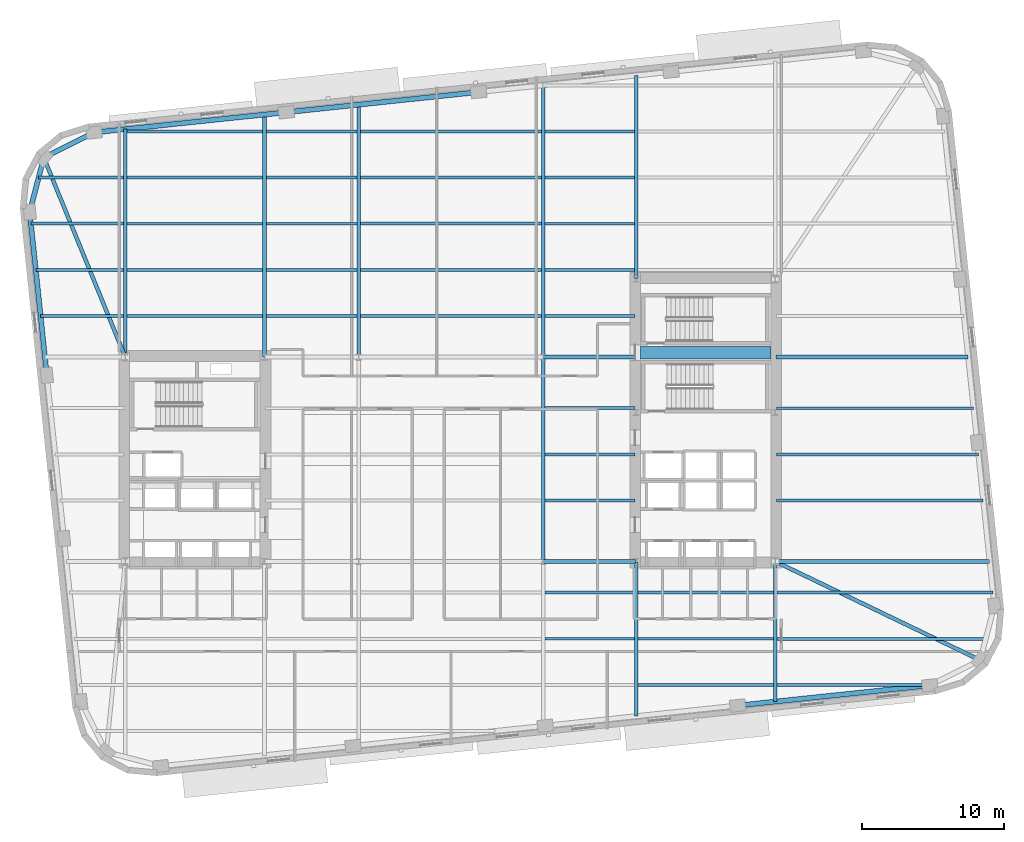
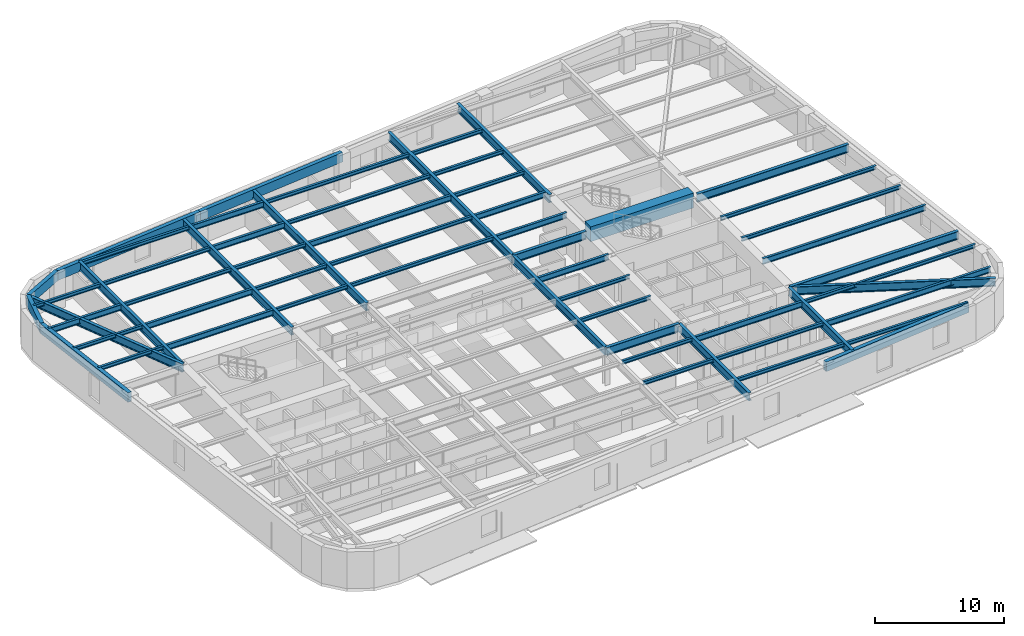
# One storey, part 2 of 13: 59 beams.
"""IFC4 building model written with IfcOpenShell, lengths in metres."""

from ifc_helpers import new_model, si_unit, direction, frame, origin, origin_2d, place, context, subcontext, project, spatial, rectangle, hollow_rectangle, i_section, extrude, material, material_profile, profile_set, type_object, element, save


model = new_model("IFC4")

# Units and contexts
model_context = context("Model", 3, precision=1e-05, world=origin(), true_north=direction((0.0, 1.0)))
body_context = subcontext(model_context, "Body", "Model", "MODEL_VIEW")
ifc_project = project(units=[si_unit("LENGTHUNIT", "METRE"), si_unit("AREAUNIT", "SQUARE_METRE"), si_unit("VOLUMEUNIT", "CUBIC_METRE"), si_unit("PLANEANGLEUNIT", "RADIAN"), si_unit("MASSUNIT", "GRAM", prefix="KILO")], contexts=[model_context])

# Site, building, storey
site_placement = place(None, origin())
site = spatial("IfcSite", under=ifc_project, at=site_placement, CompositionType="ELEMENT")
building_placement = place(site_placement, origin())
building = spatial("IfcBuilding", under=site, at=building_placement, Name="Kolvaren Arena Tower", CompositionType="ELEMENT")
storey_placement = place(building_placement, frame((0.0, 0.0, 114.699951171875)))
storey = spatial("IfcBuildingStorey", under=building, at=storey_placement, Name="L26", CompositionType="ELEMENT", Elevation=114.699951171875)

# Beams
ifc_material_1 = material(Name="Steel CSA G40.21 350W", Category="steel")
ifc_material_profile_1 = material_profile(ifc_material_1, i_section(OverallWidth=0.2119140625, OverallDepth=0.54296875, WebThickness=0.01318359375, FlangeThickness=0.0244140625, FilletRadius=0.013916015625, at=origin_2d()), Name="W530x150")
ifc_profile_set_1 = profile_set([ifc_material_profile_1], Name="Steel CSA G40.21 350W")
beam_type_1 = type_object("IfcBeamType", Name="BEAM-F1", PredefinedType="BEAM", material=ifc_profile_set_1)
beam_1_placement = place(storey_placement, frame((60.485107421875, 14.0, 3.20849609375), z_axis=(1.0, 0.0, 0.0), x_axis=(0.0, 1.0, 0.0)))
element("IfcBeam", 1, at=beam_1_placement, inside=storey, type_object=beam_type_1, Name="Composite Floor Beam (L26)", PredefinedType="BEAM", context=body_context, shape_type="SweptSolid", body=[
    extrude(i_section(OverallWidth=0.2119140625, OverallDepth=0.54296875, WebThickness=0.01318359375, FlangeThickness=0.0244140625, FilletRadius=0.013916015625, at=origin_2d()), origin(), (0.0, 0.0, 1.0), 14.69677734375),
])
beam_2_placement = place(storey_placement, frame((50.68505859375, 17.25, 3.20849609375), z_axis=(1.0, 0.0, 0.0), x_axis=(0.0, 1.0, 0.0)))
element("IfcBeam", 2, at=beam_2_placement, inside=storey, type_object=beam_type_1, Name="Composite Floor Beam (L26)", PredefinedType="BEAM", context=body_context, shape_type="SweptSolid", body=[
    extrude(i_section(OverallWidth=0.2119140625, OverallDepth=0.54296875, WebThickness=0.01318359375, FlangeThickness=0.0244140625, FilletRadius=0.013916015625, at=origin_2d()), origin(), (0.0, 0.0, 1.0), 9.530029296875),
])
beam_3_placement = place(storey_placement, frame((60.445068359375, 23.75, 3.20849609375), z_axis=(1.0, 0.0, 0.0), x_axis=(0.0, 1.0, 0.0)))
element("IfcBeam", 3, at=beam_3_placement, inside=storey, type_object=beam_type_1, Name="Composite Floor Beam (L26)", PredefinedType="BEAM", context=body_context, shape_type="SweptSolid", body=[
    extrude(i_section(OverallWidth=0.2119140625, OverallDepth=0.54296875, WebThickness=0.01318359375, FlangeThickness=0.0244140625, FilletRadius=0.013916015625, at=origin_2d()), origin(), (0.0, 0.0, 1.0), 14.56103515625),
])
beam_4_placement = place(storey_placement, frame((44.135009765625, 30.25, 3.20849609375), z_axis=(1.0, 0.0, 0.0), x_axis=(0.0, 1.0, 0.0)))
element("IfcBeam", 4, at=beam_4_placement, inside=storey, type_object=beam_type_1, Name="Composite Floor Beam (L26)", PredefinedType="BEAM", context=body_context, shape_type="SweptSolid", body=[
    extrude(i_section(OverallWidth=0.2119140625, OverallDepth=0.54296875, WebThickness=0.01318359375, FlangeThickness=0.0244140625, FilletRadius=0.013916015625, at=origin_2d()), origin(), (0.0, 0.0, 1.0), 6.320068359375),
])
beam_5_placement = place(storey_placement, frame((14.68505859375, 36.75, 3.20849609375), z_axis=(1.0, 0.0, 0.0), x_axis=(0.0, 1.0, 0.0)))
element("IfcBeam", 5, at=beam_5_placement, inside=storey, type_object=beam_type_1, Name="Composite Floor Beam (L26)", PredefinedType="BEAM", context=body_context, shape_type="SweptSolid", body=[
    extrude(i_section(OverallWidth=0.2119140625, OverallDepth=0.54296875, WebThickness=0.01318359375, FlangeThickness=0.0244140625, FilletRadius=0.013916015625, at=origin_2d()), origin(), (0.0, 0.0, 1.0), 9.530029296875),
])
beam_6_placement = place(storey_placement, frame((44.135009765625, 36.75, 3.20849609375), z_axis=(1.0, 0.0, 0.0), x_axis=(0.0, 1.0, 0.0)))
element("IfcBeam", 6, at=beam_6_placement, inside=storey, type_object=beam_type_1, Name="Composite Floor Beam (L26)", PredefinedType="BEAM", context=body_context, shape_type="SweptSolid", body=[
    extrude(i_section(OverallWidth=0.2119140625, OverallDepth=0.54296875, WebThickness=0.01318359375, FlangeThickness=0.0244140625, FilletRadius=0.013916015625, at=origin_2d()), origin(), (0.0, 0.0, 1.0), 6.320068359375),
])
beam_7_placement = place(storey_placement, frame((14.68505859375, 40.0, 3.20849609375), z_axis=(1.0, 0.0, 0.0), x_axis=(0.0, 1.0, 0.0)))
element("IfcBeam", 7, at=beam_7_placement, inside=storey, type_object=beam_type_1, Name="Composite Floor Beam (L26)", PredefinedType="BEAM", context=body_context, shape_type="SweptSolid", body=[
    extrude(i_section(OverallWidth=0.2119140625, OverallDepth=0.54296875, WebThickness=0.01318359375, FlangeThickness=0.0244140625, FilletRadius=0.013916015625, at=origin_2d()), origin(), (0.0, 0.0, 1.0), 9.530029296875),
])
beam_8_placement = place(storey_placement, frame((44.135009765625, 40.0, 3.20849609375), z_axis=(1.0, 0.0, 0.0), x_axis=(0.0, 1.0, 0.0)))
element("IfcBeam", 8, at=beam_8_placement, inside=storey, type_object=beam_type_1, Name="Composite Floor Beam (L26)", PredefinedType="BEAM", context=body_context, shape_type="SweptSolid", body=[
    extrude(i_section(OverallWidth=0.2119140625, OverallDepth=0.54296875, WebThickness=0.01318359375, FlangeThickness=0.0244140625, FilletRadius=0.013916015625, at=origin_2d()), origin(), (0.0, 0.0, 1.0), 6.280029296875),
])
beam_9_placement = place(storey_placement, frame((7.900146484375, 43.25, 3.20849609375), z_axis=(1.0, 0.0, 0.0), x_axis=(0.0, 1.0, 0.0)))
element("IfcBeam", 9, at=beam_9_placement, inside=storey, type_object=beam_type_1, Name="Composite Floor Beam (L26)", PredefinedType="BEAM", context=body_context, shape_type="SweptSolid", body=[
    extrude(i_section(OverallWidth=0.2119140625, OverallDepth=0.54296875, WebThickness=0.01318359375, FlangeThickness=0.0244140625, FilletRadius=0.013916015625, at=origin_2d()), origin(), (0.0, 0.0, 1.0), 6.514892578125),
])
beam_10_placement = place(storey_placement, frame((31.135009765625, 43.25, 3.20849609375), z_axis=(1.0, 0.0, 0.0), x_axis=(0.0, 1.0, 0.0)))
element("IfcBeam", 10, at=beam_10_placement, inside=storey, type_object=beam_type_1, Name="Composite Floor Beam (L26)", PredefinedType="BEAM", context=body_context, shape_type="SweptSolid", body=[
    extrude(i_section(OverallWidth=0.2119140625, OverallDepth=0.54296875, WebThickness=0.01318359375, FlangeThickness=0.0244140625, FilletRadius=0.013916015625, at=origin_2d()), origin(), (0.0, 0.0, 1.0), 12.72998046875),
])
for number, where, z_axis, x_axis, name in (
    (11, (24.485107421875, 46.5, 3.20849609375), (1.0, 0.0, 0.0), (0.0, 1.0, 0.0), "Composite Floor Beam (L26)"),
    (12, (24.485107421875, 49.75, 3.20849609375), (1.0, 0.0, 0.0), (0.0, 1.0, 0.0), "Composite Floor Beam (L26)"),
):
    element("IfcBeam", number, at=place(storey_placement, frame(where, z_axis=z_axis, x_axis=x_axis)), inside=storey, type_object=beam_type_1, Name=name, PredefinedType="BEAM", context=body_context, shape_type="SweptSolid", body=[
        extrude(i_section(OverallWidth=0.2119140625, OverallDepth=0.54296875, WebThickness=0.01318359375, FlangeThickness=0.0244140625, FilletRadius=0.013916015625, at=origin_2d()), origin(), (0.0, 0.0, 1.0), 6.3798828125),
    ])
ifc_material_2 = material(Name="Concrete 75 MPa", Category="concrete")
ifc_material_profile_2 = material_profile(ifc_material_2, rectangle(XDim=0.89990234375, YDim=1.39990234375, at=origin_2d()), Name="RC-900x1400")
ifc_profile_set_2 = profile_set([ifc_material_profile_2], Name="Concrete 75 MPa")
beam_type_2 = type_object("IfcBeamType", Name="CB-CORE-1", PredefinedType="BEAM", material=ifc_profile_set_2)
beam_11_placement = place(storey_placement, frame((50.85009765625, 34.14990234375, 3.050048828125), z_axis=(1.0, 0.0, 0.0), x_axis=(0.0, 1.0, 0.0)))
element("IfcBeam", 13, at=beam_11_placement, inside=storey, type_object=beam_type_2, Name="East Core Coupling Beam (L26)", PredefinedType="BEAM", context=body_context, shape_type="SweptSolid", body=[
    extrude(rectangle(XDim=0.89990234375, YDim=1.39990234375, at=origin_2d()), origin(), (0.0, 0.0, 1.0), 9.199951171875),
])
ifc_material_profile_3 = material_profile(ifc_material_1, i_section(OverallWidth=0.27001953125, OverallDepth=0.77294921875, WebThickness=0.019287109375, FlangeThickness=0.033447265625, FilletRadius=0.01806640625, at=origin_2d()), Name="W760x257")
ifc_profile_set_3 = profile_set([ifc_material_profile_3], Name="Steel CSA G40.21 350W")
beam_type_3 = type_object("IfcBeamType", Name="GIRD-T1", PredefinedType="BEAM", material=ifc_profile_set_3)
beam_12_placement = place(storey_placement, frame((74.790283203125, 12.49267578125, 3.093505859375), z_axis=(-0.900889626424, 0.43404824732, 0.0), x_axis=(-0.43404824732, -0.900889626424, 0.0)))
element("IfcBeam", 14, at=beam_12_placement, inside=storey, type_object=beam_type_3, Name="Corner Diagonal Tie Girder (L26)", PredefinedType="BEAM", context=body_context, shape_type="SweptSolid", body=[
    extrude(i_section(OverallWidth=0.27001953125, OverallDepth=0.77294921875, WebThickness=0.019287109375, FlangeThickness=0.033447265625, FilletRadius=0.01806640625, at=origin_2d()), origin(), (0.0, 0.0, 1.0), 16.02880859375),
])
beam_13_placement = place(storey_placement, frame((8.8095703125, 47.9072265625, 3.093505859375), z_axis=(0.378059288681, -0.925781385772, 0.0), x_axis=(0.925781385772, 0.378059288681, 0.0)))
element("IfcBeam", 15, at=beam_13_placement, inside=storey, type_object=beam_type_3, Name="Corner Diagonal Tie Girder (L26)", PredefinedType="BEAM", context=body_context, shape_type="SweptSolid", body=[
    extrude(i_section(OverallWidth=0.27001953125, OverallDepth=0.77294921875, WebThickness=0.019287109375, FlangeThickness=0.033447265625, FilletRadius=0.01806640625, at=origin_2d()), origin(), (0.0, 0.0, 1.0), 15.18408203125),
])
beam_14_placement = place(storey_placement, frame((44.0, 19.449951171875, 3.093505859375), z_axis=(1.0, 0.0, 0.0), x_axis=(0.0, 1.0, 0.0)))
element("IfcBeam", 16, at=beam_14_placement, inside=storey, type_object=beam_type_3, Name="Primary Floor Girder (L26)", PredefinedType="BEAM", context=body_context, shape_type="SweptSolid", body=[
    extrude(i_section(OverallWidth=0.27001953125, OverallDepth=0.77294921875, WebThickness=0.019287109375, FlangeThickness=0.033447265625, FilletRadius=0.01806640625, at=origin_2d()), origin(), (0.0, 0.0, 1.0), 6.4951171875),
])
beam_15_placement = place(storey_placement, frame((60.405029296875, 19.449951171875, 3.093505859375), z_axis=(1.0, 0.0, 0.0), x_axis=(0.0, 1.0, 0.0)))
element("IfcBeam", 17, at=beam_15_placement, inside=storey, type_object=beam_type_3, Name="Primary Floor Girder (L26)", PredefinedType="BEAM", context=body_context, shape_type="SweptSolid", body=[
    extrude(i_section(OverallWidth=0.27001953125, OverallDepth=0.77294921875, WebThickness=0.019287109375, FlangeThickness=0.033447265625, FilletRadius=0.01806640625, at=origin_2d()), origin(), (0.0, 0.0, 1.0), 15.052978515625),
])
beam_16_placement = place(storey_placement, frame((44.0, 33.85009765625, 3.093505859375), z_axis=(1.0, 0.0, 0.0), x_axis=(0.0, 1.0, 0.0)))
element("IfcBeam", 18, at=beam_16_placement, inside=storey, type_object=beam_type_3, Name="Primary Floor Girder (L26)", PredefinedType="BEAM", context=body_context, shape_type="SweptSolid", body=[
    extrude(i_section(OverallWidth=0.27001953125, OverallDepth=0.77294921875, WebThickness=0.019287109375, FlangeThickness=0.033447265625, FilletRadius=0.01806640625, at=origin_2d()), origin(), (0.0, 0.0, 1.0), 6.4951171875),
])
beam_17_placement = place(storey_placement, frame((60.405029296875, 33.85009765625, 3.093505859375), z_axis=(1.0, 0.0, 0.0), x_axis=(0.0, 1.0, 0.0)))
element("IfcBeam", 19, at=beam_17_placement, inside=storey, type_object=beam_type_3, Name="Primary Floor Girder (L26)", PredefinedType="BEAM", context=body_context, shape_type="SweptSolid", body=[
    extrude(i_section(OverallWidth=0.27001953125, OverallDepth=0.77294921875, WebThickness=0.019287109375, FlangeThickness=0.033447265625, FilletRadius=0.01806640625, at=origin_2d()), origin(), (0.0, 0.0, 1.0), 13.53955078125),
])
beam_18_placement = place(storey_placement, frame((14.550048828125, 33.905029296875, 3.093505859375), z_axis=(0.0, 1.0, 0.0), x_axis=(-1.0, 0.0, 0.0)))
element("IfcBeam", 20, at=beam_18_placement, inside=storey, type_object=beam_type_3, Name="Primary Floor Girder (L26)", PredefinedType="BEAM", context=body_context, shape_type="SweptSolid", body=[
    extrude(i_section(OverallWidth=0.27001953125, OverallDepth=0.77294921875, WebThickness=0.019287109375, FlangeThickness=0.033447265625, FilletRadius=0.01806640625, at=origin_2d()), origin(), (0.0, 0.0, 1.0), 16.004638671875),
])
beam_19_placement = place(storey_placement, frame((24.35009765625, 33.905029296875, 3.093505859375), z_axis=(0.0, 1.0, 0.0), x_axis=(-1.0, 0.0, 0.0)))
element("IfcBeam", 21, at=beam_19_placement, inside=storey, type_object=beam_type_3, Name="Primary Floor Girder (L26)", PredefinedType="BEAM", context=body_context, shape_type="SweptSolid", body=[
    extrude(i_section(OverallWidth=0.27001953125, OverallDepth=0.77294921875, WebThickness=0.019287109375, FlangeThickness=0.033447265625, FilletRadius=0.01806640625, at=origin_2d()), origin(), (0.0, 0.0, 1.0), 17.03466796875),
])
beam_20_placement = place(storey_placement, frame((31.0, 33.85009765625, 3.093505859375), z_axis=(0.0, 1.0, 0.0), x_axis=(-1.0, 0.0, 0.0)))
element("IfcBeam", 22, at=beam_20_placement, inside=storey, type_object=beam_type_3, Name="Primary Floor Girder (L26)", PredefinedType="BEAM", context=body_context, shape_type="SweptSolid", body=[
    extrude(i_section(OverallWidth=0.27001953125, OverallDepth=0.77294921875, WebThickness=0.019287109375, FlangeThickness=0.033447265625, FilletRadius=0.01806640625, at=origin_2d()), origin(), (0.0, 0.0, 1.0), 17.788330078125),
])
beam_21_placement = place(storey_placement, frame((44.0, 19.449951171875, 3.093505859375), z_axis=(0.0, 1.0, 0.0), x_axis=(-1.0, 0.0, 0.0)))
element("IfcBeam", 23, at=beam_21_placement, inside=storey, type_object=beam_type_3, Name="Primary Floor Girder (L26)", PredefinedType="BEAM", context=body_context, shape_type="SweptSolid", body=[
    extrude(i_section(OverallWidth=0.27001953125, OverallDepth=0.77294921875, WebThickness=0.019287109375, FlangeThickness=0.033447265625, FilletRadius=0.01806640625, at=origin_2d()), origin(), (0.0, 0.0, 1.0), 14.400146484375),
])
beam_22_placement = place(storey_placement, frame((44.0, 33.85009765625, 3.093505859375), z_axis=(0.0, 1.0, 0.0), x_axis=(-1.0, 0.0, 0.0)))
element("IfcBeam", 24, at=beam_22_placement, inside=storey, type_object=beam_type_3, Name="Primary Floor Girder (L26)", PredefinedType="BEAM", context=body_context, shape_type="SweptSolid", body=[
    extrude(i_section(OverallWidth=0.27001953125, OverallDepth=0.77294921875, WebThickness=0.019287109375, FlangeThickness=0.033447265625, FilletRadius=0.01806640625, at=origin_2d()), origin(), (0.0, 0.0, 1.0), 19.15478515625),
])
beam_23_placement = place(storey_placement, frame((50.550048828125, 8.5458984375, 3.093505859375), z_axis=(0.0, 1.0, 0.0), x_axis=(-1.0, 0.0, 0.0)))
element("IfcBeam", 25, at=beam_23_placement, inside=storey, type_object=beam_type_3, Name="Primary Floor Girder (L26)", PredefinedType="BEAM", context=body_context, shape_type="SweptSolid", body=[
    extrude(i_section(OverallWidth=0.27001953125, OverallDepth=0.77294921875, WebThickness=0.019287109375, FlangeThickness=0.033447265625, FilletRadius=0.01806640625, at=origin_2d()), origin(), (0.0, 0.0, 1.0), 10.84912109375),
])
beam_24_placement = place(storey_placement, frame((50.550048828125, 39.405029296875, 3.093505859375), z_axis=(0.0, 1.0, 0.0), x_axis=(-1.0, 0.0, 0.0)))
element("IfcBeam", 26, at=beam_24_placement, inside=storey, type_object=beam_type_3, Name="Primary Floor Girder (L26)", PredefinedType="BEAM", context=body_context, shape_type="SweptSolid", body=[
    extrude(i_section(OverallWidth=0.27001953125, OverallDepth=0.77294921875, WebThickness=0.019287109375, FlangeThickness=0.033447265625, FilletRadius=0.01806640625, at=origin_2d()), origin(), (0.0, 0.0, 1.0), 14.288330078125),
])
beam_25_placement = place(storey_placement, frame((60.35009765625, 9.575927734375, 3.093505859375), z_axis=(0.0, 1.0, 0.0), x_axis=(-1.0, 0.0, 0.0)))
element("IfcBeam", 27, at=beam_25_placement, inside=storey, type_object=beam_type_3, Name="Primary Floor Girder (L26)", PredefinedType="BEAM", context=body_context, shape_type="SweptSolid", body=[
    extrude(i_section(OverallWidth=0.27001953125, OverallDepth=0.77294921875, WebThickness=0.019287109375, FlangeThickness=0.033447265625, FilletRadius=0.01806640625, at=origin_2d()), origin(), (0.0, 0.0, 1.0), 9.819091796875),
])
ifc_material_profile_4 = material_profile(ifc_material_1, i_section(OverallWidth=0.202880859375, OverallDepth=0.346923828125, WebThickness=0.0078125, FlangeThickness=0.013427734375, FilletRadius=0.010986328125, at=origin_2d()), Name="W360x64")
ifc_profile_set_4 = profile_set([ifc_material_profile_4], Name="Steel CSA G40.21 350W")
beam_type_4 = type_object("IfcBeamType", Name="JOIST-01", PredefinedType="JOIST", material=ifc_profile_set_4)
beam_26_placement = place(storey_placement, frame((50.68505859375, 10.75, 3.306640625), z_axis=(1.0, 0.0, 0.0), x_axis=(0.0, 1.0, 0.0)))
element("IfcBeam", 28, at=beam_26_placement, inside=storey, type_object=beam_type_4, Name="Composite Floor Joist (L26)", PredefinedType="JOIST", context=body_context, shape_type="SweptSolid", body=[
    extrude(i_section(OverallWidth=0.202880859375, OverallDepth=0.346923828125, WebThickness=0.0078125, FlangeThickness=0.013427734375, FilletRadius=0.010986328125, at=origin_2d()), origin(), (0.0, 0.0, 1.0), 9.530029296875),
])
beam_27_placement = place(storey_placement, frame((60.485107421875, 10.75, 3.306640625), z_axis=(1.0, 0.0, 0.0), x_axis=(0.0, 1.0, 0.0)))
element("IfcBeam", 29, at=beam_27_placement, inside=storey, type_object=beam_type_4, Name="Composite Floor Joist (L26)", PredefinedType="JOIST", context=body_context, shape_type="SweptSolid", body=[
    extrude(i_section(OverallWidth=0.202880859375, OverallDepth=0.346923828125, WebThickness=0.0078125, FlangeThickness=0.013427734375, FilletRadius=0.010986328125, at=origin_2d()), origin(), (0.0, 0.0, 1.0), 10.819580078125),
])
beam_28_placement = place(storey_placement, frame((44.135009765625, 14.0, 3.306640625), z_axis=(1.0, 0.0, 0.0), x_axis=(0.0, 1.0, 0.0)))
element("IfcBeam", 30, at=beam_28_placement, inside=storey, type_object=beam_type_4, Name="Composite Floor Joist (L26)", PredefinedType="JOIST", context=body_context, shape_type="SweptSolid", body=[
    extrude(i_section(OverallWidth=0.202880859375, OverallDepth=0.346923828125, WebThickness=0.0078125, FlangeThickness=0.013427734375, FilletRadius=0.010986328125, at=origin_2d()), origin(), (0.0, 0.0, 1.0), 6.280029296875),
])
beam_29_placement = place(storey_placement, frame((50.68505859375, 14.0, 3.306640625), z_axis=(1.0, 0.0, 0.0), x_axis=(0.0, 1.0, 0.0)))
element("IfcBeam", 31, at=beam_29_placement, inside=storey, type_object=beam_type_4, Name="Composite Floor Joist (L26)", PredefinedType="JOIST", context=body_context, shape_type="SweptSolid", body=[
    extrude(i_section(OverallWidth=0.202880859375, OverallDepth=0.346923828125, WebThickness=0.0078125, FlangeThickness=0.013427734375, FilletRadius=0.010986328125, at=origin_2d()), origin(), (0.0, 0.0, 1.0), 9.530029296875),
])
beam_30_placement = place(storey_placement, frame((44.135009765625, 17.25, 3.306640625), z_axis=(1.0, 0.0, 0.0), x_axis=(0.0, 1.0, 0.0)))
element("IfcBeam", 32, at=beam_30_placement, inside=storey, type_object=beam_type_4, Name="Composite Floor Joist (L26)", PredefinedType="JOIST", context=body_context, shape_type="SweptSolid", body=[
    extrude(i_section(OverallWidth=0.202880859375, OverallDepth=0.346923828125, WebThickness=0.0078125, FlangeThickness=0.013427734375, FilletRadius=0.010986328125, at=origin_2d()), origin(), (0.0, 0.0, 1.0), 6.280029296875),
])
beam_31_placement = place(storey_placement, frame((60.485107421875, 17.25, 3.306640625), z_axis=(1.0, 0.0, 0.0), x_axis=(0.0, 1.0, 0.0)))
element("IfcBeam", 33, at=beam_31_placement, inside=storey, type_object=beam_type_4, Name="Composite Floor Joist (L26)", PredefinedType="JOIST", context=body_context, shape_type="SweptSolid", body=[
    extrude(i_section(OverallWidth=0.202880859375, OverallDepth=0.346923828125, WebThickness=0.0078125, FlangeThickness=0.013427734375, FilletRadius=0.010986328125, at=origin_2d()), origin(), (0.0, 0.0, 1.0), 15.2041015625),
])
for number, where, z_axis, x_axis, name in (
    (34, (44.135009765625, 23.75, 3.306640625), (1.0, 0.0, 0.0), (0.0, 1.0, 0.0), "Composite Floor Joist (L26)"),
    (35, (44.135009765625, 27.0, 3.306640625), (1.0, 0.0, 0.0), (0.0, 1.0, 0.0), "Composite Floor Joist (L26)"),
):
    element("IfcBeam", number, at=place(storey_placement, frame(where, z_axis=z_axis, x_axis=x_axis)), inside=storey, type_object=beam_type_4, Name=name, PredefinedType="JOIST", context=body_context, shape_type="SweptSolid", body=[
        extrude(i_section(OverallWidth=0.202880859375, OverallDepth=0.346923828125, WebThickness=0.0078125, FlangeThickness=0.013427734375, FilletRadius=0.010986328125, at=origin_2d()), origin(), (0.0, 0.0, 1.0), 6.320068359375),
    ])
beam_32_placement = place(storey_placement, frame((60.445068359375, 27.0, 3.306640625), z_axis=(1.0, 0.0, 0.0), x_axis=(0.0, 1.0, 0.0)))
element("IfcBeam", 36, at=beam_32_placement, inside=storey, type_object=beam_type_4, Name="Composite Floor Joist (L26)", PredefinedType="JOIST", context=body_context, shape_type="SweptSolid", body=[
    extrude(i_section(OverallWidth=0.202880859375, OverallDepth=0.346923828125, WebThickness=0.0078125, FlangeThickness=0.013427734375, FilletRadius=0.010986328125, at=origin_2d()), origin(), (0.0, 0.0, 1.0), 14.219482421875),
])
beam_33_placement = place(storey_placement, frame((60.445068359375, 30.25, 3.306640625), z_axis=(1.0, 0.0, 0.0), x_axis=(0.0, 1.0, 0.0)))
element("IfcBeam", 37, at=beam_33_placement, inside=storey, type_object=beam_type_4, Name="Composite Floor Joist (L26)", PredefinedType="JOIST", context=body_context, shape_type="SweptSolid", body=[
    extrude(i_section(OverallWidth=0.202880859375, OverallDepth=0.346923828125, WebThickness=0.0078125, FlangeThickness=0.013427734375, FilletRadius=0.010986328125, at=origin_2d()), origin(), (0.0, 0.0, 1.0), 13.8779296875),
])
beam_34_placement = place(storey_placement, frame((8.58349609375, 36.75, 3.306640625), z_axis=(1.0, 0.0, 0.0), x_axis=(0.0, 1.0, 0.0)))
element("IfcBeam", 38, at=beam_34_placement, inside=storey, type_object=beam_type_4, Name="Composite Floor Joist (L26)", PredefinedType="JOIST", context=body_context, shape_type="SweptSolid", body=[
    extrude(i_section(OverallWidth=0.202880859375, OverallDepth=0.346923828125, WebThickness=0.0078125, FlangeThickness=0.013427734375, FilletRadius=0.010986328125, at=origin_2d()), origin(), (0.0, 0.0, 1.0), 5.83154296875),
])
beam_35_placement = place(storey_placement, frame((24.485107421875, 36.75, 3.306640625), z_axis=(1.0, 0.0, 0.0), x_axis=(0.0, 1.0, 0.0)))
element("IfcBeam", 39, at=beam_35_placement, inside=storey, type_object=beam_type_4, Name="Composite Floor Joist (L26)", PredefinedType="JOIST", context=body_context, shape_type="SweptSolid", body=[
    extrude(i_section(OverallWidth=0.202880859375, OverallDepth=0.346923828125, WebThickness=0.0078125, FlangeThickness=0.013427734375, FilletRadius=0.010986328125, at=origin_2d()), origin(), (0.0, 0.0, 1.0), 6.3798828125),
])
beam_36_placement = place(storey_placement, frame((31.135009765625, 36.75, 3.306640625), z_axis=(1.0, 0.0, 0.0), x_axis=(0.0, 1.0, 0.0)))
element("IfcBeam", 40, at=beam_36_placement, inside=storey, type_object=beam_type_4, Name="Composite Floor Joist (L26)", PredefinedType="JOIST", context=body_context, shape_type="SweptSolid", body=[
    extrude(i_section(OverallWidth=0.202880859375, OverallDepth=0.346923828125, WebThickness=0.0078125, FlangeThickness=0.013427734375, FilletRadius=0.010986328125, at=origin_2d()), origin(), (0.0, 0.0, 1.0), 12.72998046875),
])
beam_37_placement = place(storey_placement, frame((8.24169921875, 40.0, 3.306640625), z_axis=(1.0, 0.0, 0.0), x_axis=(0.0, 1.0, 0.0)))
element("IfcBeam", 41, at=beam_37_placement, inside=storey, type_object=beam_type_4, Name="Composite Floor Joist (L26)", PredefinedType="JOIST", context=body_context, shape_type="SweptSolid", body=[
    extrude(i_section(OverallWidth=0.202880859375, OverallDepth=0.346923828125, WebThickness=0.0078125, FlangeThickness=0.013427734375, FilletRadius=0.010986328125, at=origin_2d()), origin(), (0.0, 0.0, 1.0), 6.17333984375),
])
beam_38_placement = place(storey_placement, frame((24.485107421875, 40.0, 3.306640625), z_axis=(1.0, 0.0, 0.0), x_axis=(0.0, 1.0, 0.0)))
element("IfcBeam", 42, at=beam_38_placement, inside=storey, type_object=beam_type_4, Name="Composite Floor Joist (L26)", PredefinedType="JOIST", context=body_context, shape_type="SweptSolid", body=[
    extrude(i_section(OverallWidth=0.202880859375, OverallDepth=0.346923828125, WebThickness=0.0078125, FlangeThickness=0.013427734375, FilletRadius=0.010986328125, at=origin_2d()), origin(), (0.0, 0.0, 1.0), 6.3798828125),
])
beam_39_placement = place(storey_placement, frame((31.135009765625, 40.0, 3.306640625), z_axis=(1.0, 0.0, 0.0), x_axis=(0.0, 1.0, 0.0)))
element("IfcBeam", 43, at=beam_39_placement, inside=storey, type_object=beam_type_4, Name="Composite Floor Joist (L26)", PredefinedType="JOIST", context=body_context, shape_type="SweptSolid", body=[
    extrude(i_section(OverallWidth=0.202880859375, OverallDepth=0.346923828125, WebThickness=0.0078125, FlangeThickness=0.013427734375, FilletRadius=0.010986328125, at=origin_2d()), origin(), (0.0, 0.0, 1.0), 12.72998046875),
])
beam_40_placement = place(storey_placement, frame((14.68505859375, 43.25, 3.306640625), z_axis=(1.0, 0.0, 0.0), x_axis=(0.0, 1.0, 0.0)))
element("IfcBeam", 44, at=beam_40_placement, inside=storey, type_object=beam_type_4, Name="Composite Floor Joist (L26)", PredefinedType="JOIST", context=body_context, shape_type="SweptSolid", body=[
    extrude(i_section(OverallWidth=0.202880859375, OverallDepth=0.346923828125, WebThickness=0.0078125, FlangeThickness=0.013427734375, FilletRadius=0.010986328125, at=origin_2d()), origin(), (0.0, 0.0, 1.0), 9.530029296875),
])
beam_41_placement = place(storey_placement, frame((24.485107421875, 43.25, 3.306640625), z_axis=(1.0, 0.0, 0.0), x_axis=(0.0, 1.0, 0.0)))
element("IfcBeam", 45, at=beam_41_placement, inside=storey, type_object=beam_type_4, Name="Composite Floor Joist (L26)", PredefinedType="JOIST", context=body_context, shape_type="SweptSolid", body=[
    extrude(i_section(OverallWidth=0.202880859375, OverallDepth=0.346923828125, WebThickness=0.0078125, FlangeThickness=0.013427734375, FilletRadius=0.010986328125, at=origin_2d()), origin(), (0.0, 0.0, 1.0), 6.3798828125),
])
beam_42_placement = place(storey_placement, frame((44.135009765625, 43.25, 3.306640625), z_axis=(1.0, 0.0, 0.0), x_axis=(0.0, 1.0, 0.0)))
element("IfcBeam", 46, at=beam_42_placement, inside=storey, type_object=beam_type_4, Name="Composite Floor Joist (L26)", PredefinedType="JOIST", context=body_context, shape_type="SweptSolid", body=[
    extrude(i_section(OverallWidth=0.202880859375, OverallDepth=0.346923828125, WebThickness=0.0078125, FlangeThickness=0.013427734375, FilletRadius=0.010986328125, at=origin_2d()), origin(), (0.0, 0.0, 1.0), 6.280029296875),
])
beam_43_placement = place(storey_placement, frame((8.444091796875, 46.5, 3.306640625), z_axis=(1.0, 0.0, 0.0), x_axis=(0.0, 1.0, 0.0)))
element("IfcBeam", 47, at=beam_43_placement, inside=storey, type_object=beam_type_4, Name="Composite Floor Joist (L26)", PredefinedType="JOIST", context=body_context, shape_type="SweptSolid", body=[
    extrude(i_section(OverallWidth=0.202880859375, OverallDepth=0.346923828125, WebThickness=0.0078125, FlangeThickness=0.013427734375, FilletRadius=0.010986328125, at=origin_2d()), origin(), (0.0, 0.0, 1.0), 5.970947265625),
])
beam_44_placement = place(storey_placement, frame((14.68505859375, 46.5, 3.306640625), z_axis=(1.0, 0.0, 0.0), x_axis=(0.0, 1.0, 0.0)))
element("IfcBeam", 48, at=beam_44_placement, inside=storey, type_object=beam_type_4, Name="Composite Floor Joist (L26)", PredefinedType="JOIST", context=body_context, shape_type="SweptSolid", body=[
    extrude(i_section(OverallWidth=0.202880859375, OverallDepth=0.346923828125, WebThickness=0.0078125, FlangeThickness=0.013427734375, FilletRadius=0.010986328125, at=origin_2d()), origin(), (0.0, 0.0, 1.0), 9.530029296875),
])
beam_45_placement = place(storey_placement, frame((31.135009765625, 46.5, 3.306640625), z_axis=(1.0, 0.0, 0.0), x_axis=(0.0, 1.0, 0.0)))
element("IfcBeam", 49, at=beam_45_placement, inside=storey, type_object=beam_type_4, Name="Composite Floor Joist (L26)", PredefinedType="JOIST", context=body_context, shape_type="SweptSolid", body=[
    extrude(i_section(OverallWidth=0.202880859375, OverallDepth=0.346923828125, WebThickness=0.0078125, FlangeThickness=0.013427734375, FilletRadius=0.010986328125, at=origin_2d()), origin(), (0.0, 0.0, 1.0), 12.72998046875),
])
beam_46_placement = place(storey_placement, frame((44.135009765625, 46.5, 3.306640625), z_axis=(1.0, 0.0, 0.0), x_axis=(0.0, 1.0, 0.0)))
element("IfcBeam", 50, at=beam_46_placement, inside=storey, type_object=beam_type_4, Name="Composite Floor Joist (L26)", PredefinedType="JOIST", context=body_context, shape_type="SweptSolid", body=[
    extrude(i_section(OverallWidth=0.202880859375, OverallDepth=0.346923828125, WebThickness=0.0078125, FlangeThickness=0.013427734375, FilletRadius=0.010986328125, at=origin_2d()), origin(), (0.0, 0.0, 1.0), 6.280029296875),
])
beam_47_placement = place(storey_placement, frame((14.68505859375, 49.75, 3.306640625), z_axis=(1.0, 0.0, 0.0), x_axis=(0.0, 1.0, 0.0)))
element("IfcBeam", 51, at=beam_47_placement, inside=storey, type_object=beam_type_4, Name="Composite Floor Joist (L26)", PredefinedType="JOIST", context=body_context, shape_type="SweptSolid", body=[
    extrude(i_section(OverallWidth=0.202880859375, OverallDepth=0.346923828125, WebThickness=0.0078125, FlangeThickness=0.013427734375, FilletRadius=0.010986328125, at=origin_2d()), origin(), (0.0, 0.0, 1.0), 9.530029296875),
])
beam_48_placement = place(storey_placement, frame((31.135009765625, 49.75, 3.306640625), z_axis=(1.0, 0.0, 0.0), x_axis=(0.0, 1.0, 0.0)))
element("IfcBeam", 52, at=beam_48_placement, inside=storey, type_object=beam_type_4, Name="Composite Floor Joist (L26)", PredefinedType="JOIST", context=body_context, shape_type="SweptSolid", body=[
    extrude(i_section(OverallWidth=0.202880859375, OverallDepth=0.346923828125, WebThickness=0.0078125, FlangeThickness=0.013427734375, FilletRadius=0.010986328125, at=origin_2d()), origin(), (0.0, 0.0, 1.0), 12.72998046875),
])
beam_49_placement = place(storey_placement, frame((44.135009765625, 49.75, 3.306640625), z_axis=(1.0, 0.0, 0.0), x_axis=(0.0, 1.0, 0.0)))
element("IfcBeam", 53, at=beam_49_placement, inside=storey, type_object=beam_type_4, Name="Composite Floor Joist (L26)", PredefinedType="JOIST", context=body_context, shape_type="SweptSolid", body=[
    extrude(i_section(OverallWidth=0.202880859375, OverallDepth=0.346923828125, WebThickness=0.0078125, FlangeThickness=0.013427734375, FilletRadius=0.010986328125, at=origin_2d()), origin(), (0.0, 0.0, 1.0), 6.280029296875),
])
ifc_material_3 = material(Name="Steel CSA G40.21 350WT", Category="steel")
ifc_material_profile_5 = material_profile(ifc_material_3, hollow_rectangle(XDim=0.35009765625, YDim=0.89990234375, WallThickness=0.02001953125, at=origin_2d()), Name="HSS 900x350x20")
ifc_profile_set_5 = profile_set([ifc_material_profile_5], Name="Steel CSA G40.21 350WT")
beam_type_5 = type_object("IfcBeamType", Name="SPAND-01", PredefinedType="SPANDREL", material=ifc_profile_set_5)
for number, where, z_axis, x_axis, name in (
    (54, (57.697021484375, 9.297119140625, 3.030029296875), (0.994520955135, 0.104537408603, 0.0), (-0.104537408603, 0.994520955135, 0.0), "Perimeter Spandrel Beam (L26)"),
    (55, (39.453369140625, 52.527099609375, 3.030029296875), (-0.994520955135, -0.104537408603, 0.0), (0.104537408603, -0.994520955135, 0.0), "Perimeter Spandrel Beam (L26)"),
):
    element("IfcBeam", number, at=place(storey_placement, frame(where, z_axis=z_axis, x_axis=x_axis)), inside=storey, type_object=beam_type_5, Name=name, PredefinedType="SPANDREL", context=body_context, shape_type="SweptSolid", body=[
        extrude(hollow_rectangle(XDim=0.35009765625, YDim=0.89990234375, WallThickness=0.02001953125, at=origin_2d()), origin(), (0.0, 0.0, 1.0), 13.625),
    ])
beam_50_placement = place(storey_placement, frame((25.903076171875, 51.102783203125, 3.030029296875), z_axis=(-0.994523013632, -0.104517823154, 0.0), x_axis=(0.104517823154, -0.994523013632, 0.0)))
element("IfcBeam", 56, at=beam_50_placement, inside=storey, type_object=beam_type_5, Name="Perimeter Spandrel Beam (L26)", PredefinedType="SPANDREL", context=body_context, shape_type="SweptSolid", body=[
    extrude(hollow_rectangle(XDim=0.35009765625, YDim=0.89990234375, WallThickness=0.02001953125, at=origin_2d()), origin(), (0.0, 0.0, 1.0), 13.625244140625),
])
beam_51_placement = place(storey_placement, frame((12.3525390625, 49.6787109375, 3.030029296875), z_axis=(-0.894427191, -0.4472135955, 0.0), x_axis=(0.4472135955, -0.894427191, 0.0)))
element("IfcBeam", 57, at=beam_51_placement, inside=storey, type_object=beam_type_5, Name="Perimeter Spandrel Beam (L26)", PredefinedType="SPANDREL", context=body_context, shape_type="SweptSolid", body=[
    extrude(hollow_rectangle(XDim=0.35009765625, YDim=0.89990234375, WallThickness=0.02001953125, at=origin_2d()), origin(), (0.0, 0.0, 1.0), 3.961181640625),
])
beam_52_placement = place(storey_placement, frame((8.8095703125, 47.9072265625, 3.030029296875), z_axis=(-0.25141561169, -0.96787922294, 0.0), x_axis=(0.96787922294, -0.25141561169, 0.0)))
element("IfcBeam", 58, at=beam_52_placement, inside=storey, type_object=beam_type_5, Name="Perimeter Spandrel Beam (L26)", PredefinedType="SPANDREL", context=body_context, shape_type="SweptSolid", body=[
    extrude(hollow_rectangle(XDim=0.35009765625, YDim=0.89990234375, WallThickness=0.02001953125, at=origin_2d()), origin(), (0.0, 0.0, 1.0), 3.9609375),
])
beam_53_placement = place(storey_placement, frame((7.813720703125, 44.073486328125, 3.030029296875), z_axis=(0.104524366116, -0.994522325988, 0.0), x_axis=(0.994522325988, 0.104524366116, 0.0)))
element("IfcBeam", 59, at=beam_53_placement, inside=storey, type_object=beam_type_5, Name="Perimeter Spandrel Beam (L26)", PredefinedType="SPANDREL", context=body_context, shape_type="SweptSolid", body=[
    extrude(hollow_rectangle(XDim=0.35009765625, YDim=0.89990234375, WallThickness=0.02001953125, at=origin_2d()), origin(), (0.0, 0.0, 1.0), 11.566650390625),
])

save(model, "model.ifc")
